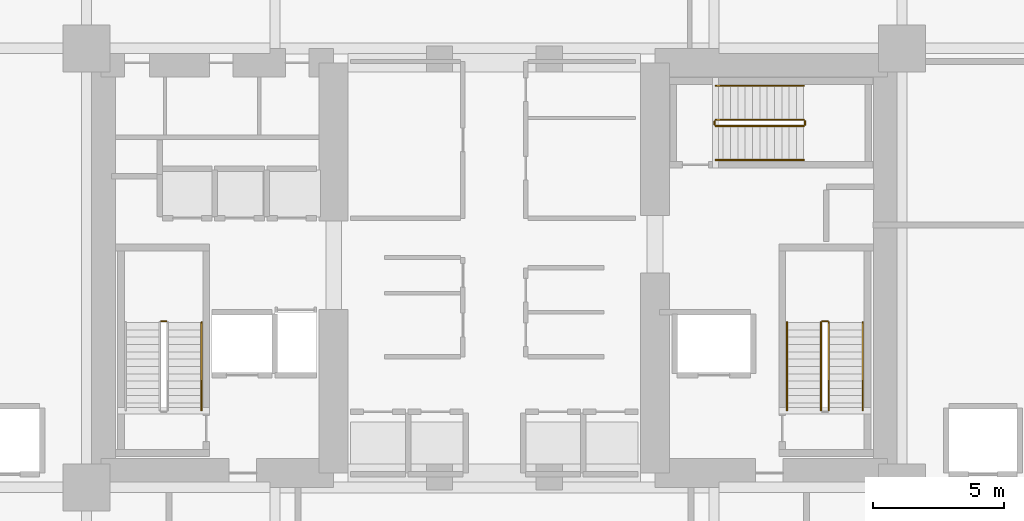
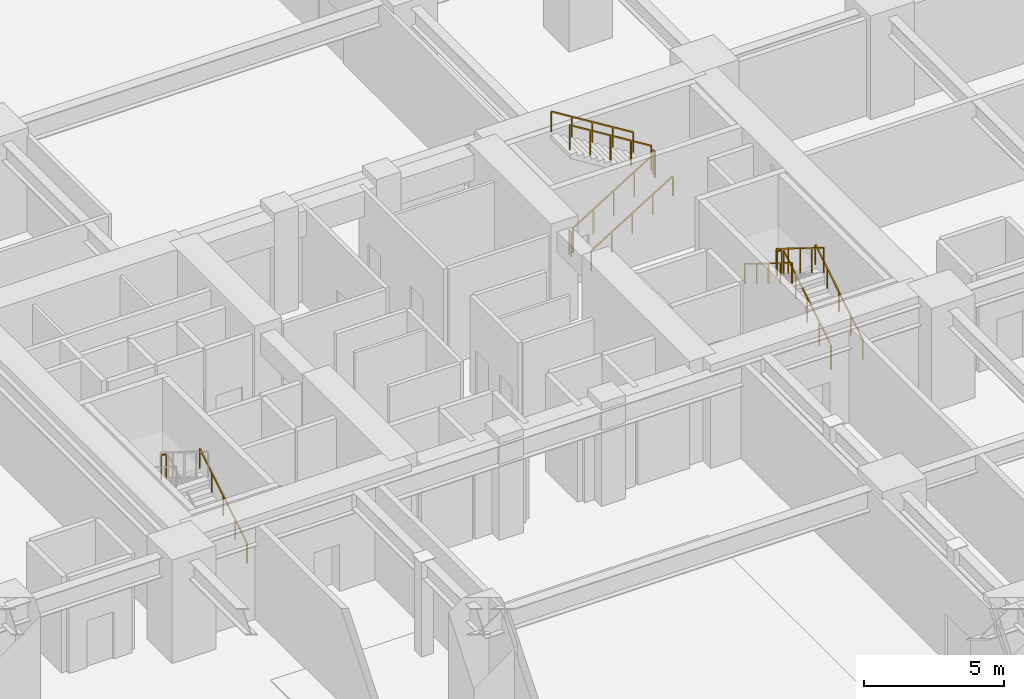
# One storey, part 22 of 26: 13 railings.
"""IFC4 building model written with IfcOpenShell, lengths in metres."""

from ifc_helpers import new_model, si_unit, direction, frame, origin, origin_2d, place, context, subcontext, project, spatial, rectangle, extrude, material, type_object, element, save


model = new_model("IFC4")

# Units and contexts
model_context = context("Model", 3, precision=1e-05, world=origin(), true_north=direction((0.0, 1.0)))
body_context = subcontext(model_context, "Body", "Model", "MODEL_VIEW")
ifc_project = project(units=[si_unit("LENGTHUNIT", "METRE"), si_unit("AREAUNIT", "SQUARE_METRE"), si_unit("VOLUMEUNIT", "CUBIC_METRE"), si_unit("PLANEANGLEUNIT", "RADIAN"), si_unit("MASSUNIT", "GRAM", prefix="KILO")], contexts=[model_context])

# Site, building, storey
site_placement = place(None, origin())
site = spatial("IfcSite", under=ifc_project, at=site_placement, CompositionType="ELEMENT")
building_placement = place(site_placement, origin())
building = spatial("IfcBuilding", under=site, at=building_placement, Name="Kiyonajd Concourse Tower", CompositionType="ELEMENT")
storey_placement = place(building_placement, origin())
storey = spatial("IfcBuildingStorey", under=building, at=storey_placement, Name="L01", CompositionType="ELEMENT", Elevation=0.0)

# Railings
ifc_material_1 = material(Name="Steel ASTM A500 Grade C", Category="steel")
railing_type_1 = type_object("IfcRailingType", Name="RL-GRD-STR", PredefinedType="GUARDRAIL", material=ifc_material_1)
railing_1_placement = place(storey_placement, frame((35.449951171875, 33.9599609375, 2.25)))
element("IfcRailing", 1, at=railing_1_placement, inside=storey, type_object=railing_type_1, Name="L01 ST1 stair guard 2", PredefinedType="GUARDRAIL", context=body_context, shape_type="SweptSolid", body=[
    extrude(rectangle(XDim=0.048095703125, YDim=0.048095703125, at=origin_2d()), frame((0.0, 0.0, 1.076171875), z_axis=(-1.0, 0.0, 0.0), x_axis=(0.0, -1.0, 0.0)), (0.0, 0.0, 1.0), 0.199951171875),
    extrude(rectangle(XDim=0.0419921875, YDim=0.0419921875, at=origin_2d()), origin(), (0.0, 0.0, 1.0), 1.052001953125),
    extrude(rectangle(XDim=0.0419921875, YDim=0.0419921875, at=origin_2d()), frame((-0.199951171875, 0.0, 0.0)), (0.0, 0.0, 1.0), 1.052001953125),
])
railing_2_placement = place(storey_placement, frame((60.800048828125, 30.550048828125, 0.173095703125)))
element("IfcRailing", 2, at=railing_2_placement, inside=storey, type_object=railing_type_1, Name="L01 ST2 stair guard 1", PredefinedType="GUARDRAIL", context=body_context, shape_type="SweptSolid", body=[
    extrude(rectangle(XDim=0.048095703125, YDim=0.048095703125, at=origin_2d()), frame((0.0, 0.0, 1.076171875), z_axis=(0.0, 0.850606129759, 0.525803396734), x_axis=(-1.0, 0.0, 0.0)), (0.0, 0.0, 1.0), 3.949951171875),
    extrude(rectangle(XDim=0.0419921875, YDim=0.0419921875, at=origin_2d()), origin(), (0.0, 0.0, 1.0), 1.052001953125),
    extrude(rectangle(XDim=0.0419921875, YDim=0.0419921875, at=origin_2d()), frame((0.0, 0.83984375, 0.519287109375)), (0.0, 0.0, 1.0), 1.052001953125),
    extrude(rectangle(XDim=0.0419921875, YDim=0.0419921875, at=origin_2d()), frame((0.0, 1.679931640625, 1.03857421875)), (0.0, 0.0, 1.0), 1.052001953125),
    extrude(rectangle(XDim=0.0419921875, YDim=0.0419921875, at=origin_2d()), frame((0.0, 2.52001953125, 1.5576171875)), (0.0, 0.0, 1.0), 1.052001953125),
    extrude(rectangle(XDim=0.0419921875, YDim=0.0419921875, at=origin_2d()), frame((0.0, 3.35986328125, 2.076904296875)), (0.0, 0.0, 1.0), 1.052001953125),
])
railing_3_placement = place(storey_placement, frame((60.75, 33.9599609375, 2.25)))
element("IfcRailing", 3, at=railing_3_placement, inside=storey, type_object=railing_type_1, Name="L01 ST2 stair guard 2", PredefinedType="GUARDRAIL", context=body_context, shape_type="SweptSolid", body=[
    extrude(rectangle(XDim=0.048095703125, YDim=0.048095703125, at=origin_2d()), frame((0.0, 0.0, 1.076171875), z_axis=(-1.0, 0.0, 0.0), x_axis=(0.0, -1.0, 0.0)), (0.0, 0.0, 1.0), 0.199951171875),
    extrude(rectangle(XDim=0.0419921875, YDim=0.0419921875, at=origin_2d()), origin(), (0.0, 0.0, 1.0), 1.052001953125),
    extrude(rectangle(XDim=0.0419921875, YDim=0.0419921875, at=origin_2d()), frame((-0.199951171875, 0.0, 0.0)), (0.0, 0.0, 1.0), 1.052001953125),
])
railing_4_placement = place(storey_placement, frame((60.5, 33.909912109375, 2.423095703125)))
element("IfcRailing", 4, at=railing_4_placement, inside=storey, type_object=railing_type_1, Name="L01 ST2 stair guard 3", PredefinedType="GUARDRAIL", context=body_context, shape_type="SweptSolid", body=[
    extrude(rectangle(XDim=0.048095703125, YDim=0.048095703125, at=origin_2d()), frame((0.0, 0.0, 1.076171875), z_axis=(0.0, -0.850606129759, 0.525803396734), x_axis=(1.0, 0.0, 0.0)), (0.0, 0.0, 1.0), 3.949951171875),
    extrude(rectangle(XDim=0.0419921875, YDim=0.0419921875, at=origin_2d()), origin(), (0.0, 0.0, 1.0), 1.052001953125),
    extrude(rectangle(XDim=0.0419921875, YDim=0.0419921875, at=origin_2d()), frame((0.0, -0.83984375, 0.519287109375)), (0.0, 0.0, 1.0), 1.052001953125),
    extrude(rectangle(XDim=0.0419921875, YDim=0.0419921875, at=origin_2d()), frame((0.0, -1.679931640625, 1.03857421875)), (0.0, 0.0, 1.0), 1.052001953125),
    extrude(rectangle(XDim=0.0419921875, YDim=0.0419921875, at=origin_2d()), frame((0.0, -2.52001953125, 1.5576171875)), (0.0, 0.0, 1.0), 1.052001953125),
    extrude(rectangle(XDim=0.0419921875, YDim=0.0419921875, at=origin_2d()), frame((0.0, -3.35986328125, 2.076904296875)), (0.0, 0.0, 1.0), 1.052001953125),
])
railing_5_placement = place(storey_placement, frame((56.47998046875, 41.429931640625, 0.173095703125)))
element("IfcRailing", 5, at=railing_5_placement, inside=storey, type_object=railing_type_1, Name="L01 ST3 stair guard 1", PredefinedType="GUARDRAIL", context=body_context, shape_type="SweptSolid", body=[
    extrude(rectangle(XDim=0.048095703125, YDim=0.048095703125, at=origin_2d()), frame((0.0, 0.0, 1.076171875), z_axis=(0.850623216509, 0.0, 0.525775754039), x_axis=(0.0, 1.0, 0.0)), (0.0, 0.0, 1.0), 3.9501953125),
    extrude(rectangle(XDim=0.0419921875, YDim=0.0419921875, at=origin_2d()), origin(), (0.0, 0.0, 1.0), 1.052001953125),
    extrude(rectangle(XDim=0.0419921875, YDim=0.0419921875, at=origin_2d()), frame((0.840087890625, 0.0, 0.519287109375)), (0.0, 0.0, 1.0), 1.052001953125),
    extrude(rectangle(XDim=0.0419921875, YDim=0.0419921875, at=origin_2d()), frame((1.68017578125, 0.0, 1.03857421875)), (0.0, 0.0, 1.0), 1.052001953125),
    extrude(rectangle(XDim=0.0419921875, YDim=0.0419921875, at=origin_2d()), frame((2.52001953125, 0.0, 1.5576171875)), (0.0, 0.0, 1.0), 1.052001953125),
    extrude(rectangle(XDim=0.0419921875, YDim=0.0419921875, at=origin_2d()), frame((3.360107421875, 0.0, 2.076904296875)), (0.0, 0.0, 1.0), 1.052001953125),
])
railing_6_placement = place(storey_placement, frame((59.889892578125, 41.47998046875, 2.25)))
element("IfcRailing", 6, at=railing_6_placement, inside=storey, type_object=railing_type_1, Name="L01 ST3 stair guard 2", PredefinedType="GUARDRAIL", context=body_context, shape_type="SweptSolid", body=[
    extrude(rectangle(XDim=0.048095703125, YDim=0.048095703125, at=origin_2d()), frame((0.0, 0.0, 1.076171875), z_axis=(0.0, 1.0, 0.0), x_axis=(-1.0, 0.0, 0.0)), (0.0, 0.0, 1.0), 0.14013671875),
    extrude(rectangle(XDim=0.0419921875, YDim=0.0419921875, at=origin_2d()), origin(), (0.0, 0.0, 1.0), 1.052001953125),
    extrude(rectangle(XDim=0.0419921875, YDim=0.0419921875, at=origin_2d()), frame((0.0, 0.14013671875, 0.0)), (0.0, 0.0, 1.0), 1.052001953125),
])
railing_7_placement = place(storey_placement, frame((59.840087890625, 41.669921875, 2.423095703125)))
element("IfcRailing", 7, at=railing_7_placement, inside=storey, type_object=railing_type_1, Name="L01 ST3 stair guard 3", PredefinedType="GUARDRAIL", context=body_context, shape_type="SweptSolid", body=[
    extrude(rectangle(XDim=0.048095703125, YDim=0.048095703125, at=origin_2d()), frame((0.0, 0.0, 1.076171875), z_axis=(-0.850623216509, 0.0, 0.525775754039), x_axis=(0.0, -1.0, 0.0)), (0.0, 0.0, 1.0), 3.9501953125),
    extrude(rectangle(XDim=0.0419921875, YDim=0.0419921875, at=origin_2d()), origin(), (0.0, 0.0, 1.0), 1.052001953125),
    extrude(rectangle(XDim=0.0419921875, YDim=0.0419921875, at=origin_2d()), frame((-0.840087890625, 0.0, 0.519287109375)), (0.0, 0.0, 1.0), 1.052001953125),
    extrude(rectangle(XDim=0.0419921875, YDim=0.0419921875, at=origin_2d()), frame((-1.68017578125, 0.0, 1.03857421875)), (0.0, 0.0, 1.0), 1.052001953125),
    extrude(rectangle(XDim=0.0419921875, YDim=0.0419921875, at=origin_2d()), frame((-2.52001953125, 0.0, 1.5576171875)), (0.0, 0.0, 1.0), 1.052001953125),
    extrude(rectangle(XDim=0.0419921875, YDim=0.0419921875, at=origin_2d()), frame((-3.360107421875, 0.0, 2.076904296875)), (0.0, 0.0, 1.0), 1.052001953125),
])
railing_8_placement = place(storey_placement, frame((56.429931640625, 41.47998046875, 0.0)))
element("IfcRailing", 8, at=railing_8_placement, inside=storey, type_object=railing_type_1, Name="L01 ST3 stair guard 4", PredefinedType="GUARDRAIL", context=body_context, shape_type="SweptSolid", body=[
    extrude(rectangle(XDim=0.048095703125, YDim=0.048095703125, at=origin_2d()), frame((0.0, 0.0, 1.076171875), z_axis=(0.0, 1.0, 0.0), x_axis=(-1.0, 0.0, 0.0)), (0.0, 0.0, 1.0), 0.14013671875),
    extrude(rectangle(XDim=0.0419921875, YDim=0.0419921875, at=origin_2d()), origin(), (0.0, 0.0, 1.0), 1.052001953125),
    extrude(rectangle(XDim=0.0419921875, YDim=0.0419921875, at=origin_2d()), frame((0.0, 0.14013671875, 0.0)), (0.0, 0.0, 1.0), 1.052001953125),
])
ifc_material_2 = material(Name="Brushed Stainless Steel Cab Assembly", Category="steel")
railing_type_2 = type_object("IfcRailingType", Name="RL-HND-900", PredefinedType="HANDRAIL", material=ifc_material_2)
for number, where, name in (
    (9, (36.800048828125, 30.550048828125, 0.173095703125), "L01 ST1 stair handrail 1"),
    (10, (62.10009765625, 30.550048828125, 0.173095703125), "L01 ST2 stair handrail 1"),
):
    element("IfcRailing", number, at=place(storey_placement, frame(where)), inside=storey, type_object=railing_type_2, Name=name, PredefinedType="HANDRAIL", context=body_context, shape_type="SweptSolid", body=[
        extrude(rectangle(XDim=0.048095703125, YDim=0.048095703125, at=origin_2d()), frame((0.0, 0.0, 0.8759765625), z_axis=(0.0, 0.850606129759, 0.525803396734), x_axis=(-1.0, 0.0, 0.0)), (0.0, 0.0, 1.0), 3.949951171875),
        extrude(rectangle(XDim=0.0419921875, YDim=0.0419921875, at=origin_2d()), origin(), (0.0, 0.0, 1.0), 0.851806640625),
        extrude(rectangle(XDim=0.0419921875, YDim=0.0419921875, at=origin_2d()), frame((0.0, 0.83984375, 0.519287109375)), (0.0, 0.0, 1.0), 0.851806640625),
        extrude(rectangle(XDim=0.0419921875, YDim=0.0419921875, at=origin_2d()), frame((0.0, 1.679931640625, 1.03857421875)), (0.0, 0.0, 1.0), 0.851806640625),
        extrude(rectangle(XDim=0.0419921875, YDim=0.0419921875, at=origin_2d()), frame((0.0, 2.52001953125, 1.5576171875)), (0.0, 0.0, 1.0), 0.851806640625),
        extrude(rectangle(XDim=0.0419921875, YDim=0.0419921875, at=origin_2d()), frame((0.0, 3.35986328125, 2.076904296875)), (0.0, 0.0, 1.0), 0.851806640625),
    ])
railing_9_placement = place(storey_placement, frame((59.199951171875, 33.909912109375, 2.423095703125)))
element("IfcRailing", 11, at=railing_9_placement, inside=storey, type_object=railing_type_2, Name="L01 ST2 stair handrail 2", PredefinedType="HANDRAIL", context=body_context, shape_type="SweptSolid", body=[
    extrude(rectangle(XDim=0.048095703125, YDim=0.048095703125, at=origin_2d()), frame((0.0, 0.0, 0.8759765625), z_axis=(0.0, -0.850606129759, 0.525803396734), x_axis=(1.0, 0.0, 0.0)), (0.0, 0.0, 1.0), 3.949951171875),
    extrude(rectangle(XDim=0.0419921875, YDim=0.0419921875, at=origin_2d()), origin(), (0.0, 0.0, 1.0), 0.851806640625),
    extrude(rectangle(XDim=0.0419921875, YDim=0.0419921875, at=origin_2d()), frame((0.0, -0.83984375, 0.519287109375)), (0.0, 0.0, 1.0), 0.851806640625),
    extrude(rectangle(XDim=0.0419921875, YDim=0.0419921875, at=origin_2d()), frame((0.0, -1.679931640625, 1.03857421875)), (0.0, 0.0, 1.0), 0.851806640625),
    extrude(rectangle(XDim=0.0419921875, YDim=0.0419921875, at=origin_2d()), frame((0.0, -2.52001953125, 1.5576171875)), (0.0, 0.0, 1.0), 0.851806640625),
    extrude(rectangle(XDim=0.0419921875, YDim=0.0419921875, at=origin_2d()), frame((0.0, -3.35986328125, 2.076904296875)), (0.0, 0.0, 1.0), 0.851806640625),
])
railing_10_placement = place(storey_placement, frame((56.47998046875, 40.1298828125, 0.173095703125)))
element("IfcRailing", 12, at=railing_10_placement, inside=storey, type_object=railing_type_2, Name="L01 ST3 stair handrail 1", PredefinedType="HANDRAIL", context=body_context, shape_type="SweptSolid", body=[
    extrude(rectangle(XDim=0.048095703125, YDim=0.048095703125, at=origin_2d()), frame((0.0, 0.0, 0.8759765625), z_axis=(0.850623216509, 0.0, 0.525775754039), x_axis=(0.0, 1.0, 0.0)), (0.0, 0.0, 1.0), 3.9501953125),
    extrude(rectangle(XDim=0.0419921875, YDim=0.0419921875, at=origin_2d()), origin(), (0.0, 0.0, 1.0), 0.851806640625),
    extrude(rectangle(XDim=0.0419921875, YDim=0.0419921875, at=origin_2d()), frame((0.840087890625, 0.0, 0.519287109375)), (0.0, 0.0, 1.0), 0.851806640625),
    extrude(rectangle(XDim=0.0419921875, YDim=0.0419921875, at=origin_2d()), frame((1.68017578125, 0.0, 1.03857421875)), (0.0, 0.0, 1.0), 0.851806640625),
    extrude(rectangle(XDim=0.0419921875, YDim=0.0419921875, at=origin_2d()), frame((2.52001953125, 0.0, 1.5576171875)), (0.0, 0.0, 1.0), 0.851806640625),
    extrude(rectangle(XDim=0.0419921875, YDim=0.0419921875, at=origin_2d()), frame((3.360107421875, 0.0, 2.076904296875)), (0.0, 0.0, 1.0), 0.851806640625),
])
railing_11_placement = place(storey_placement, frame((59.840087890625, 42.969970703125, 2.423095703125)))
element("IfcRailing", 13, at=railing_11_placement, inside=storey, type_object=railing_type_2, Name="L01 ST3 stair handrail 2", PredefinedType="HANDRAIL", context=body_context, shape_type="SweptSolid", body=[
    extrude(rectangle(XDim=0.048095703125, YDim=0.048095703125, at=origin_2d()), frame((0.0, 0.0, 0.8759765625), z_axis=(-0.850623216509, 0.0, 0.525775754039), x_axis=(0.0, -1.0, 0.0)), (0.0, 0.0, 1.0), 3.9501953125),
    extrude(rectangle(XDim=0.0419921875, YDim=0.0419921875, at=origin_2d()), origin(), (0.0, 0.0, 1.0), 0.851806640625),
    extrude(rectangle(XDim=0.0419921875, YDim=0.0419921875, at=origin_2d()), frame((-0.840087890625, 0.0, 0.519287109375)), (0.0, 0.0, 1.0), 0.851806640625),
    extrude(rectangle(XDim=0.0419921875, YDim=0.0419921875, at=origin_2d()), frame((-1.68017578125, 0.0, 1.03857421875)), (0.0, 0.0, 1.0), 0.851806640625),
    extrude(rectangle(XDim=0.0419921875, YDim=0.0419921875, at=origin_2d()), frame((-2.52001953125, 0.0, 1.5576171875)), (0.0, 0.0, 1.0), 0.851806640625),
    extrude(rectangle(XDim=0.0419921875, YDim=0.0419921875, at=origin_2d()), frame((-3.360107421875, 0.0, 2.076904296875)), (0.0, 0.0, 1.0), 0.851806640625),
])

save(model, "model.ifc")
